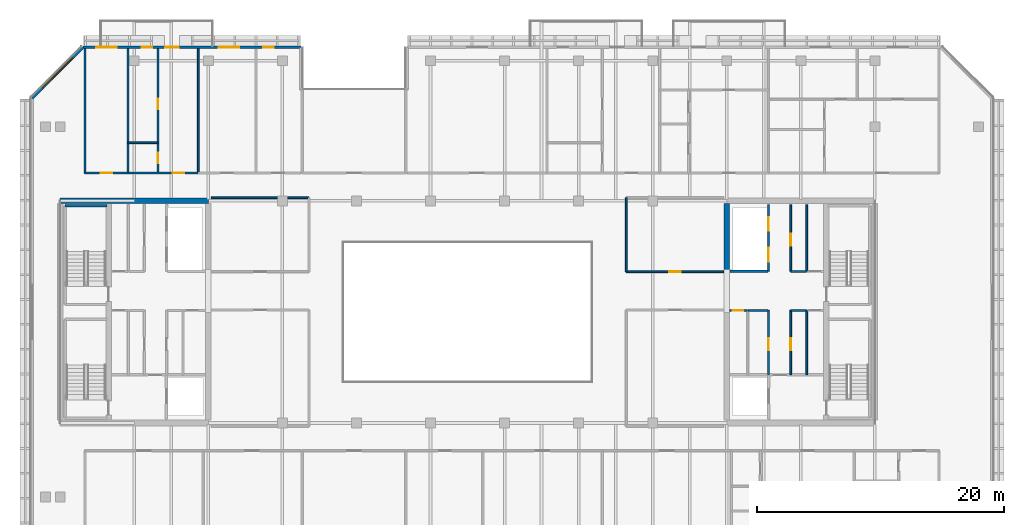
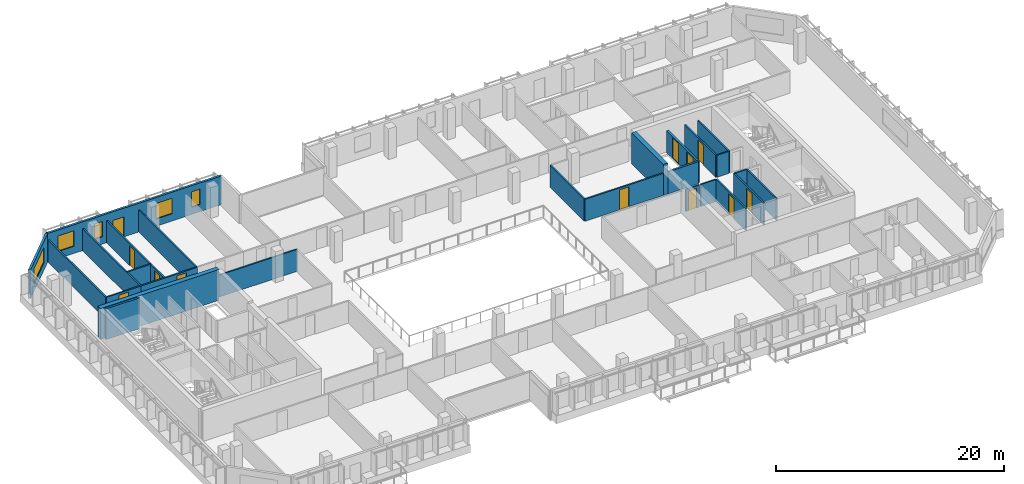
# One storey, part 8 of 16: 26 walls, 12 doors, 5 windows, 17 openings.
"""IFC4 building model written with IfcOpenShell, lengths in metres."""

import ifcopenshell
import ifcopenshell.guid

model = None  # the IFC model being written
_history = None  # IfcOwnerHistory: only IFC2X3 demands one
_inside = {}  # id of a spatial element -> (the spatial element, [elements in it])
_under = {}  # id of a project, library or spatial element -> (it, [spatial elements below it])
_declared = {}  # id of a project -> (the project, [libraries it declares])
_typed = {}  # id of a type object -> (the type object, [elements of that type])
_made_of = {}  # id of a material, layer set ... -> (it, [elements and type objects made of it])


def new_model(schema):
    """Start an empty IFC model of exactly this schema.

    Asked for "IFC4X3", IfcOpenShell would pick the latest addendum, in which some entities
    have other attributes; the version numbers below select the first issue.
    IFC2X3 requires an IfcOwnerHistory on every rooted entity: one is made here for all.
    """
    global model, _history
    if schema == "IFC4X3":
        model = ifcopenshell.file(schema_version=(4, 3, 0, 0))
    else:
        model = ifcopenshell.file(schema=schema)
    _inside.clear()
    _under.clear()
    _declared.clear()
    _typed.clear()
    _made_of.clear()
    _history = None
    if model.schema == "IFC2X3":
        org = make("IfcOrganization", Name="unknown")
        user = make(
            "IfcPersonAndOrganization",
            ThePerson=make("IfcPerson", FamilyName="unknown"),
            TheOrganization=org,
        )
        app = make(
            "IfcApplication",
            ApplicationDeveloper=org,
            Version="unknown",
            ApplicationFullName="unknown",
            ApplicationIdentifier="unknown",
        )
        _history = make(
            "IfcOwnerHistory",
            OwningUser=user,
            OwningApplication=app,
            ChangeAction="ADDED",
            CreationDate=0,
        )
    return model


def make(cls, **values):
    """One entity of the class cls with the attributes given. An attribute that is None is left unset."""
    return model.create_entity(
        cls, **{name: value for name, value in values.items() if value is not None}
    )


def rooted(cls, **values):
    """An entity with a GlobalId (a new one), such as an element, a storey or a relation."""
    return make(cls, GlobalId=ifcopenshell.guid.new(), OwnerHistory=_history, **values)


def si_unit(unit_type, name, prefix=None):
    """IfcSIUnit, for example si_unit("LENGTHUNIT", "METRE", prefix="MILLI")."""
    return make("IfcSIUnit", UnitType=unit_type, Prefix=prefix, Name=name)


def assignment(units):
    """IfcUnitAssignment: the units of a project."""
    return None if units is None else make("IfcUnitAssignment", Units=units)


def point(xyz):
    """IfcCartesianPoint."""
    return None if xyz is None else make("IfcCartesianPoint", Coordinates=xyz)


def direction(xyz):
    """IfcDirection."""
    return None if xyz is None else make("IfcDirection", DirectionRatios=xyz)


def frame(location, z_axis=None, x_axis=None):
    """IfcAxis2Placement3D, a coordinate frame: its origin and axes. An axis left out is left unset."""
    return make(
        "IfcAxis2Placement3D",
        Location=point(location),
        Axis=direction(z_axis),
        RefDirection=direction(x_axis),
    )


def frame_2d(location, x_axis=None):
    """IfcAxis2Placement2D, a coordinate frame in the plane: its origin and x axis."""
    return make(
        "IfcAxis2Placement2D", Location=point(location), RefDirection=direction(x_axis)
    )


def origin():
    """The frame at (0, 0, 0) with its axes left unset."""
    return frame((0.0, 0.0, 0.0))


def place(relative_to, where):
    """IfcLocalPlacement: puts the frame where relative to a parent placement (None: the world)."""
    return make(
        "IfcLocalPlacement", PlacementRelTo=relative_to, RelativePlacement=where
    )


def context(
    kind, dimensions, precision=None, world=None, true_north=None, identifier=None
):
    """IfcGeometricRepresentationContext, for example the 3D "Model" context."""
    return make(
        "IfcGeometricRepresentationContext",
        ContextIdentifier=identifier,
        ContextType=kind,
        CoordinateSpaceDimension=dimensions,
        Precision=precision,
        WorldCoordinateSystem=world,
        TrueNorth=true_north,
    )


def subcontext(parent, identifier, kind, view, scale=None):
    """IfcGeometricRepresentationSubContext, for example "Body" below "Model"."""
    return make(
        "IfcGeometricRepresentationSubContext",
        ContextIdentifier=identifier,
        ContextType=kind,
        ParentContext=parent,
        TargetScale=scale,
        TargetView=view,
    )


def project(units=None, contexts=None):
    """IfcProject with its units and contexts."""
    return rooted(
        "IfcProject",
        Name="project",
        RepresentationContexts=contexts,
        UnitsInContext=assignment(units),
    )


def spatial(cls, under=None, at=None, **own):
    """A site, building, storey or space (cls), placed at a placement, below another one or the project."""
    s = rooted(cls, ObjectPlacement=at, **own)
    if under is not None:
        _under.setdefault(under.id(), (under, []))[1].append(s)
    return s


def profile(cls, at=None, kind="AREA", **sizes):
    """A parametric profile (cls). Its sizes go by their IFC names, for example OverallWidth=200.0."""
    return make(cls, ProfileType=kind, Position=at, **sizes)


def rectangle(**sizes):
    """IfcRectangleProfileDef."""
    return profile("IfcRectangleProfileDef", **sizes)


def extrude(swept, where, along, depth):
    """IfcExtrudedAreaSolid: the profile swept, set in the frame where, extruded along a direction by depth."""
    return make(
        "IfcExtrudedAreaSolid",
        SweptArea=swept,
        Position=where,
        ExtrudedDirection=direction(along),
        Depth=depth,
    )


def shape(context_of_items, identifier, shape_type, items):
    """IfcShapeRepresentation: the items that make up one representation, for example the "Body"."""
    return make(
        "IfcShapeRepresentation",
        ContextOfItems=context_of_items,
        RepresentationIdentifier=identifier,
        RepresentationType=shape_type,
        Items=items,
    )


def material(Name=None, Category=None):
    """IfcMaterial."""
    return make("IfcMaterial", Name=Name, Category=Category)


def layer(
    of_material, thickness, ventilated=None, Name=None, Category=None, Priority=None
):
    """IfcMaterialLayer: one layer of a wall or slab, of a material (None: an air gap)."""
    return make(
        "IfcMaterialLayer",
        Material=of_material,
        LayerThickness=thickness,
        IsVentilated=ventilated,
        Name=Name,
        Category=Category,
        Priority=Priority,
    )


def layer_set(layers, Name=None):
    """IfcMaterialLayerSet."""
    return make("IfcMaterialLayerSet", MaterialLayers=layers, LayerSetName=Name)


def made_of(thing, what):
    """Note that an element or type object is made of a material, layer set ...; save() writes the relation."""
    if what is not None:
        _made_of.setdefault(what.id(), (what, []))[1].append(thing)
    return thing


def type_object(cls, material=None, **own):
    """A type object (cls), such as IfcWallType, which elements share."""
    return made_of(rooted(cls, **own), material)


def element(
    cls,
    number,
    at=None,
    inside=None,
    cuts=None,
    type_object=None,
    material=None,
    context=None,
    identifier="Body",
    shape_type=None,
    held_by="IfcProductDefinitionShape",
    body=None,
    shapes=None,
    **own,
):
    """One element of the class cls, such as IfcWall. Its Tag is "e" and its number.

    at: its placement. inside: the storey or other place that contains it. cuts: it is an
    opening in that element (IfcRelVoidsElement). A single representation is given by context,
    identifier, shape_type and body (its items); several are given by shapes. held_by: the class
    of the entity that holds the representations. save() writes the other relations.
    """
    e = rooted(cls, Tag="e%d" % number, ObjectPlacement=at, **own)
    if body is not None:
        shapes = [shape(context, identifier, shape_type, body)]
    if shapes is not None:
        e.Representation = make(held_by, Representations=shapes)
    if inside is not None:
        _inside.setdefault(inside.id(), (inside, []))[1].append(e)
    if cuts is not None:
        rooted(
            "IfcRelVoidsElement", RelatingBuildingElement=cuts, RelatedOpeningElement=e
        )
    if type_object is not None:
        _typed.setdefault(type_object.id(), (type_object, []))[1].append(e)
    return made_of(e, material)


def fill(opening, filler):
    """IfcRelFillsElement: the door or window that sits in an opening."""
    return rooted(
        "IfcRelFillsElement",
        RelatingOpeningElement=opening,
        RelatedBuildingElement=filler,
    )


def aggregate(whole, parts):
    """IfcRelAggregates: a whole, such as a stair, and the parts it consists of."""
    return rooted("IfcRelAggregates", RelatingObject=whole, RelatedObjects=parts)


def save(model, path):
    """Write the relations noted so far, then the file.

    IfcRelAggregates (storeys below a building ...), IfcRelContainedInSpatialStructure (elements
    in a storey), IfcRelDefinesByType, IfcRelAssociatesMaterial and IfcRelDeclares: one each for
    every whole, place, type object, material and project.
    """
    for whole, parts in _under.values():
        aggregate(whole, parts)
    for where, things in _inside.values():
        rooted(
            "IfcRelContainedInSpatialStructure",
            RelatedElements=things,
            RelatingStructure=where,
        )
    for kind, things in _typed.values():
        rooted("IfcRelDefinesByType", RelatedObjects=things, RelatingType=kind)
    for what, things in _made_of.values():
        rooted("IfcRelAssociatesMaterial", RelatedObjects=things, RelatingMaterial=what)
    for by, libraries in _declared.values():
        rooted("IfcRelDeclares", RelatingContext=by, RelatedDefinitions=libraries)
    model.write(path)


model = new_model("IFC4")

# Units and contexts
model_context = context("Model", 3, precision=1e-05, world=origin(), true_north=direction((0.0, 1.0)))
body_context = subcontext(model_context, "Body", "Model", "MODEL_VIEW")
ifc_project = project(units=[si_unit("LENGTHUNIT", "METRE"), si_unit("AREAUNIT", "SQUARE_METRE"), si_unit("VOLUMEUNIT", "CUBIC_METRE"), si_unit("PLANEANGLEUNIT", "RADIAN"), si_unit("MASSUNIT", "GRAM", prefix="KILO")], contexts=[model_context])

# Site, building, storey
site_placement = place(None, origin())
site = spatial("IfcSite", under=ifc_project, at=site_placement, CompositionType="ELEMENT")
building_placement = place(site_placement, origin())
building = spatial("IfcBuilding", under=site, at=building_placement, Name="Tanjung Sevakor Pilgrim Tower", CompositionType="ELEMENT")
storey_placement = place(building_placement, frame((0.0, 0.0, 191.72998046875)))
storey = spatial("IfcBuildingStorey", under=building, at=storey_placement, Name="L53", CompositionType="ELEMENT", Elevation=191.72998046875)

# Walls
ifc_material_1 = material(Name="Concrete C60/75", Category="concrete")
ifc_layer_1 = layer(ifc_material_1, 0.449951171875)
ifc_layer_set_1 = layer_set([ifc_layer_1], Name="WALL-CW-450")
wall_type_1 = type_object("IfcWallType", Name="WALL-CW-450", PredefinedType="SHEAR", material=ifc_layer_set_1)
wall_1_placement = place(storey_placement, frame((36.0, 42.60009765625, 0.0), z_axis=(0.0, 0.0, 1.0), x_axis=(-1.0, 0.0, 0.0)))
element("IfcWall", 1, at=wall_1_placement, inside=storey, type_object=wall_type_1, Name="L53 W Core North Shear Wall", PredefinedType="SHEAR", context=body_context, shape_type="SweptSolid", body=[
    extrude(rectangle(XDim=12.0, YDim=0.449951171875, at=frame_2d((6.0, 0.0))), origin(), (0.0, 0.0, 1.0), 3.300048828125),
])
wall_2_placement = place(storey_placement, frame((78.0, 36.800048828125, 0.0), z_axis=(0.0, 0.0, 1.0), x_axis=(0.0, 1.0, 0.0)))
element("IfcWall", 2, at=wall_2_placement, inside=storey, type_object=wall_type_1, Name="L53 E Core Inner Shear Wall North", PredefinedType="SHEAR", context=body_context, shape_type="SweptSolid", body=[
    extrude(rectangle(XDim=5.574951171875, YDim=0.449951171875, at=frame_2d((2.78759765625, 0.0))), origin(), (0.0, 0.0, 1.0), 3.300048828125),
])
ifc_material_2 = material(Name="Concrete C40/50", Category="concrete")
ifc_layer_2 = layer(ifc_material_2, 0.14990234375)
ifc_layer_set_2 = layer_set([ifc_layer_2], Name="WT-COMP-150")
wall_type_2 = type_object("IfcWallType", Name="WT-COMP-150", PredefinedType="SOLIDWALL", material=ifc_layer_set_2)
wall_3_placement = place(storey_placement, frame((84.47998046875, 28.5, 0.0), z_axis=(0.0, 0.0, 1.0), x_axis=(0.0, 1.0, 0.0)))
element("IfcWall", 3, at=wall_3_placement, inside=storey, type_object=wall_type_2, Name="L53 Partition IW-L53-019", PredefinedType="SOLIDWALL", context=body_context, shape_type="SweptSolid", body=[
    extrude(rectangle(XDim=5.219970703125, YDim=0.14990234375, at=frame_2d((2.60986328125, 0.0))), origin(), (0.0, 0.0, 1.0), 2.35009765625),
])
wall_4_placement = place(storey_placement, frame((83.199951171875, 33.719970703125, 0.0), z_axis=(0.0, 0.0, 1.0), x_axis=(1.0, 0.0, 0.0)))
element("IfcWall", 4, at=wall_4_placement, inside=storey, type_object=wall_type_2, Name="L53 Partition IW-L53-021", PredefinedType="SOLIDWALL", context=body_context, shape_type="SweptSolid", body=[
    extrude(rectangle(XDim=1.219970703125, YDim=0.14990234375, at=frame_2d((0.60986328125, 0.0))), origin(), (0.0, 0.0, 1.0), 2.35009765625),
])

# Wall, opening, door
wall_5_placement = place(storey_placement, frame((83.179931640625, 28.5, 0.0), z_axis=(0.0, 0.0, 1.0), x_axis=(0.0, 1.0, 0.0)))
wall_5 = element("IfcWall", 5, at=wall_5_placement, inside=storey, type_object=wall_type_2, Name="L53 Partition IW-L53-022", PredefinedType="SOLIDWALL", context=body_context, shape_type="SweptSolid", body=[
    extrude(rectangle(XDim=5.219970703125, YDim=0.14990234375, at=frame_2d((2.60986328125, 0.0))), origin(), (0.0, 0.0, 1.0), 2.35009765625),
])
opening_1_placement = place(wall_5_placement, frame((2.0, 0.0, 0.0)))
opening_1 = element("IfcOpeningElement", 6, at=opening_1_placement, cuts=wall_5, Name="Opening ID-FD2", PredefinedType="OPENING", context=body_context, shape_type="SweptSolid", body=[
    extrude(rectangle(XDim=0.949951171875, YDim=2.14990234375, at=frame_2d((0.47509765625, 1.074951171875))), frame((0.0, 0.0849609375, 0.0), z_axis=(0.0, -1.0, 0.0), x_axis=(1.0, 0.0, 0.0)), (0.0, 0.0, 1.0), 0.169921875),
])
ifc_material_3 = material(Name="Fire-Rated Timber", Category="wood")
door_type_1 = type_object("IfcDoorType", Name="DT-FIRE-950", OperationType="NOTDEFINED", PredefinedType="DOOR", material=ifc_material_3)
door_1_placement = place(opening_1_placement, origin())
door_1 = element("IfcDoor", 7, at=door_1_placement, inside=storey, type_object=door_type_1, Name="L53 Housekeeping Pantry Door", OperationType="SINGLE_SWING_LEFT", OverallHeight=2.14990234375, OverallWidth=0.949951171875, PredefinedType="DOOR", context=body_context, shape_type="SweptSolid", body=[
    extrude(rectangle(XDim=0.949951171875, YDim=2.14990234375, at=frame_2d((0.47509765625, 1.074951171875))), frame((0.0, 0.02490234375, 0.0), z_axis=(0.0, -1.0, 0.0), x_axis=(1.0, 0.0, 0.0)), (0.0, 0.0, 1.0), 0.050048828125),
])
fill(opening_1, door_1)

# Wall
wall_6_placement = place(storey_placement, frame((79.760009765625, 33.719970703125, 0.0), z_axis=(0.0, 0.0, 1.0), x_axis=(1.0, 0.0, 0.0)))
element("IfcWall", 8, at=wall_6_placement, inside=storey, type_object=wall_type_2, Name="L53 Partition IW-L53-024", PredefinedType="SOLIDWALL", context=body_context, shape_type="SweptSolid", body=[
    extrude(rectangle(XDim=1.56005859375, YDim=0.14990234375, at=frame_2d((0.780029296875, 0.0))), origin(), (0.0, 0.0, 1.0), 2.35009765625),
])

# Wall, opening, door
wall_7_placement = place(storey_placement, frame((78.2451171875, 33.719970703125, 0.0), z_axis=(0.0, 0.0, 1.0), x_axis=(1.0, 0.0, 0.0)))
wall_7 = element("IfcWall", 9, at=wall_7_placement, inside=storey, type_object=wall_type_2, Name="L53 Partition IW-L53-025", PredefinedType="SOLIDWALL", context=body_context, shape_type="SweptSolid", body=[
    extrude(rectangle(XDim=1.394775390625, YDim=0.14990234375, at=frame_2d((0.697265625, 0.0))), origin(), (0.0, 0.0, 1.0), 2.35009765625),
])
opening_2_placement = place(wall_7_placement, frame((0.239990234375, 0.0, 0.0)))
opening_2 = element("IfcOpeningElement", 10, at=opening_2_placement, cuts=wall_7, Name="Opening ID-FD3", PredefinedType="OPENING", context=body_context, shape_type="SweptSolid", body=[
    extrude(rectangle(XDim=0.85009765625, YDim=2.10009765625, at=frame_2d((0.425048828125, 1.050048828125))), frame((0.0, 0.0849609375, 0.0), z_axis=(0.0, -1.0, 0.0), x_axis=(1.0, 0.0, 0.0)), (0.0, 0.0, 1.0), 0.169921875),
])
ifc_material_4 = material(Name="Fire-Rated Timber", Category="wood")
door_type_2 = type_object("IfcDoorType", Name="DT-FIRE-850", OperationType="NOTDEFINED", PredefinedType="DOOR", material=ifc_material_4)
door_2_placement = place(opening_2_placement, origin())
door_2 = element("IfcDoor", 11, at=door_2_placement, inside=storey, type_object=door_type_2, Name="L53 Service Store Door", OperationType="SINGLE_SWING_RIGHT", OverallHeight=2.10009765625, OverallWidth=0.85009765625, PredefinedType="DOOR", context=body_context, shape_type="SweptSolid", body=[
    extrude(rectangle(XDim=0.85009765625, YDim=2.10009765625, at=frame_2d((0.425048828125, 1.050048828125))), frame((0.0, 0.02490234375, 0.0), z_axis=(0.0, -1.0, 0.0), x_axis=(1.0, 0.0, 0.0)), (0.0, 0.0, 1.0), 0.050048828125),
])
fill(opening_2, door_2)

wall_8_placement = place(storey_placement, frame((81.3798828125, 28.5, 0.0), z_axis=(0.0, 0.0, 1.0), x_axis=(0.0, 1.0, 0.0)))
wall_8 = element("IfcWall", 12, at=wall_8_placement, inside=storey, type_object=wall_type_2, Name="L53 Partition IW-L53-026", PredefinedType="SOLIDWALL", context=body_context, shape_type="SweptSolid", body=[
    extrude(rectangle(XDim=5.219970703125, YDim=0.14990234375, at=frame_2d((2.60986328125, 0.0))), origin(), (0.0, 0.0, 1.0), 2.35009765625),
])
opening_3_placement = place(wall_8_placement, frame((2.0, 0.0, 0.0)))
opening_3 = element("IfcOpeningElement", 13, at=opening_3_placement, cuts=wall_8, Name="Opening ID-FD2", PredefinedType="OPENING", context=body_context, shape_type="SweptSolid", body=[
    extrude(rectangle(XDim=0.949951171875, YDim=2.14990234375, at=frame_2d((0.47509765625, 1.074951171875))), frame((0.0, 0.0849609375, 0.0), z_axis=(0.0, -1.0, 0.0), x_axis=(1.0, 0.0, 0.0)), (0.0, 0.0, 1.0), 0.169921875),
])
door_3_placement = place(opening_3_placement, origin())
door_3 = element("IfcDoor", 14, at=door_3_placement, inside=storey, type_object=door_type_1, Name="L53 Accessible WC Door", OperationType="SINGLE_SWING_LEFT", OverallHeight=2.14990234375, OverallWidth=0.949951171875, PredefinedType="DOOR", context=body_context, shape_type="SweptSolid", body=[
    extrude(rectangle(XDim=0.949951171875, YDim=2.14990234375, at=frame_2d((0.47509765625, 1.074951171875))), frame((0.0, 0.02490234375, 0.0), z_axis=(0.0, -1.0, 0.0), x_axis=(1.0, 0.0, 0.0)), (0.0, 0.0, 1.0), 0.050048828125),
])
fill(opening_3, door_3)

# Walls
wall_9_placement = place(storey_placement, frame((84.47998046875, 36.8798828125, 0.0), z_axis=(0.0, 0.0, 1.0), x_axis=(0.0, 1.0, 0.0)))
element("IfcWall", 15, at=wall_9_placement, inside=storey, type_object=wall_type_2, Name="L53 Partition IW-L53-027", PredefinedType="SOLIDWALL", context=body_context, shape_type="SweptSolid", body=[
    extrude(rectangle(XDim=5.420166015625, YDim=0.14990234375, at=frame_2d((2.7099609375, 0.0))), origin(), (0.0, 0.0, 1.0), 2.35009765625),
])
wall_10_placement = place(storey_placement, frame((83.199951171875, 36.8798828125, 0.0), z_axis=(0.0, 0.0, 1.0), x_axis=(1.0, 0.0, 0.0)))
element("IfcWall", 16, at=wall_10_placement, inside=storey, type_object=wall_type_2, Name="L53 Partition IW-L53-029", PredefinedType="SOLIDWALL", context=body_context, shape_type="SweptSolid", body=[
    extrude(rectangle(XDim=1.219970703125, YDim=0.14990234375, at=frame_2d((0.60986328125, 0.0))), origin(), (0.0, 0.0, 1.0), 2.35009765625),
])

# Wall, opening, door
wall_11_placement = place(storey_placement, frame((83.179931640625, 36.8798828125, 0.0), z_axis=(0.0, 0.0, 1.0), x_axis=(0.0, 1.0, 0.0)))
wall_11 = element("IfcWall", 17, at=wall_11_placement, inside=storey, type_object=wall_type_2, Name="L53 Partition IW-L53-030", PredefinedType="SOLIDWALL", context=body_context, shape_type="SweptSolid", body=[
    extrude(rectangle(XDim=5.420166015625, YDim=0.14990234375, at=frame_2d((2.7099609375, 0.0))), origin(), (0.0, 0.0, 1.0), 2.35009765625),
])
opening_4_placement = place(wall_11_placement, frame((2.10009765625, 0.0, 0.0)))
opening_4 = element("IfcOpeningElement", 18, at=opening_4_placement, cuts=wall_11, Name="Opening ID-FD2", PredefinedType="OPENING", context=body_context, shape_type="SweptSolid", body=[
    extrude(rectangle(XDim=0.949951171875, YDim=2.14990234375, at=frame_2d((0.47509765625, 1.074951171875))), frame((0.0, 0.0849609375, 0.0), z_axis=(0.0, -1.0, 0.0), x_axis=(1.0, 0.0, 0.0)), (0.0, 0.0, 1.0), 0.169921875),
])
door_4_placement = place(opening_4_placement, origin())
door_4 = element("IfcDoor", 19, at=door_4_placement, inside=storey, type_object=door_type_1, Name="L53 Core Reading Room Door", OperationType="SINGLE_SWING_LEFT", OverallHeight=2.14990234375, OverallWidth=0.949951171875, PredefinedType="DOOR", context=body_context, shape_type="SweptSolid", body=[
    extrude(rectangle(XDim=0.949951171875, YDim=2.14990234375, at=frame_2d((0.47509765625, 1.074951171875))), frame((0.0, 0.02490234375, 0.0), z_axis=(0.0, -1.0, 0.0), x_axis=(1.0, 0.0, 0.0)), (0.0, 0.0, 1.0), 0.050048828125),
])
fill(opening_4, door_4)

# Wall
wall_12_placement = place(storey_placement, frame((36.2451171875, 42.85009765625, 0.0), z_axis=(0.0, 0.0, 1.0), x_axis=(1.0, 0.0, 0.0)))
element("IfcWall", 20, at=wall_12_placement, inside=storey, type_object=wall_type_2, Name="L53 Partition IW-L53-037", PredefinedType="SOLIDWALL", context=body_context, shape_type="SweptSolid", body=[
    extrude(rectangle(XDim=7.90478515625, YDim=0.14990234375, at=frame_2d((3.952392578125, 0.0))), origin(), (0.0, 0.0, 1.0), 2.35009765625),
])

# Wall, opening, door
wall_13_placement = place(storey_placement, frame((69.85009765625, 36.85009765625, 0.0), z_axis=(0.0, 0.0, 1.0), x_axis=(1.0, 0.0, 0.0)))
wall_13 = element("IfcWall", 21, at=wall_13_placement, inside=storey, type_object=wall_type_2, Name="L53 Partition IW-L53-042", PredefinedType="SOLIDWALL", context=body_context, shape_type="SweptSolid", body=[
    extrude(rectangle(XDim=7.90478515625, YDim=0.14990234375, at=frame_2d((3.952392578125, 0.0))), origin(), (0.0, 0.0, 1.0), 2.35009765625),
])
opening_5_placement = place(wall_13_placement, frame((3.4775390625, 0.0, 0.0)))
opening_5 = element("IfcOpeningElement", 22, at=opening_5_placement, cuts=wall_13, Name="Opening ID-RM1", PredefinedType="OPENING", context=body_context, shape_type="SweptSolid", body=[
    extrude(rectangle(XDim=0.949951171875, YDim=2.14990234375, at=frame_2d((0.47509765625, 1.074951171875))), frame((0.0, 0.0849609375, 0.0), z_axis=(0.0, -1.0, 0.0), x_axis=(1.0, 0.0, 0.0)), (0.0, 0.0, 1.0), 0.169921875),
])
ifc_material_5 = material(Name="Hardwood Timber", Category="wood")
door_type_3 = type_object("IfcDoorType", Name="DT-INT-950", OperationType="NOTDEFINED", PredefinedType="DOOR", material=ifc_material_5)
door_5_placement = place(opening_5_placement, origin())
door_5 = element("IfcDoor", 23, at=door_5_placement, inside=storey, type_object=door_type_3, Name="L53 East Inboard North Door", OperationType="SINGLE_SWING_LEFT", OverallHeight=2.14990234375, OverallWidth=0.949951171875, PredefinedType="DOOR", context=body_context, shape_type="SweptSolid", body=[
    extrude(rectangle(XDim=0.949951171875, YDim=2.14990234375, at=frame_2d((0.47509765625, 1.074951171875))), frame((0.0, 0.02490234375, 0.0), z_axis=(0.0, -1.0, 0.0), x_axis=(1.0, 0.0, 0.0)), (0.0, 0.0, 1.0), 0.050048828125),
])
fill(opening_5, door_5)

# Walls
wall_14_placement = place(storey_placement, frame((69.85009765625, 36.85009765625, 0.0), z_axis=(0.0, 0.0, 1.0), x_axis=(0.0, 1.0, 0.0)))
element("IfcWall", 24, at=wall_14_placement, inside=storey, type_object=wall_type_2, Name="L53 Partition IW-L53-044", PredefinedType="SOLIDWALL", context=body_context, shape_type="SweptSolid", body=[
    extrude(rectangle(XDim=6.0, YDim=0.14990234375, at=frame_2d((3.0, 0.0))), origin(), (0.0, 0.0, 1.0), 2.35009765625),
])
for number, where, z_axis, x_axis, name in (
    (25, (26.0, 44.85009765625, 0.0), (0.0, 0.0, 1.0), (0.0, 1.0, 0.0), "L53 Partition IW-L53-071"),
    (26, (29.489501953125, 44.85009765625, 0.0), (0.0, 0.0, 1.0), (0.0, 1.0, 0.0), "L53 Partition IW-L53-072"),
):
    element("IfcWall", number, at=place(storey_placement, frame(where, z_axis=z_axis, x_axis=x_axis)), inside=storey, type_object=wall_type_2, Name=name, PredefinedType="SOLIDWALL", context=body_context, shape_type="SweptSolid", body=[
        extrude(rectangle(XDim=10.079833984375, YDim=0.14990234375, at=frame_2d((5.0400390625, 0.0))), origin(), (0.0, 0.0, 1.0), 2.35009765625),
    ])

# Wall, opening, door
wall_15_placement = place(storey_placement, frame((26.0, 44.85009765625, 0.0), z_axis=(0.0, 0.0, 1.0), x_axis=(1.0, 0.0, 0.0)))
wall_15 = element("IfcWall", 27, at=wall_15_placement, inside=storey, type_object=wall_type_2, Name="L53 Partition IW-L53-073", PredefinedType="SOLIDWALL", context=body_context, shape_type="SweptSolid", body=[
    extrude(rectangle(XDim=3.489501953125, YDim=0.14990234375, at=frame_2d((1.74462890625, 0.0))), origin(), (0.0, 0.0, 1.0), 2.35009765625),
])
opening_6_placement = place(wall_15_placement, frame((1.269775390625, 0.0, 0.0)))
opening_6 = element("IfcOpeningElement", 28, at=opening_6_placement, cuts=wall_15, Name="Opening ID-FD2", PredefinedType="OPENING", context=body_context, shape_type="SweptSolid", body=[
    extrude(rectangle(XDim=0.949951171875, YDim=2.14990234375, at=frame_2d((0.47509765625, 1.074951171875))), frame((0.0, 0.0849609375, 0.0), z_axis=(0.0, -1.0, 0.0), x_axis=(1.0, 0.0, 0.0)), (0.0, 0.0, 1.0), 0.169921875),
])
door_6_placement = place(opening_6_placement, origin())
door_6 = element("IfcDoor", 29, at=door_6_placement, inside=storey, type_object=door_type_1, Name="Study Room Entrance", OperationType="SINGLE_SWING_LEFT", OverallHeight=2.14990234375, OverallWidth=0.949951171875, PredefinedType="DOOR", context=body_context, shape_type="SweptSolid", body=[
    extrude(rectangle(XDim=0.949951171875, YDim=2.14990234375, at=frame_2d((0.47509765625, 1.074951171875))), frame((0.0, 0.02490234375, 0.0), z_axis=(0.0, -1.0, 0.0), x_axis=(1.0, 0.0, 0.0)), (0.0, 0.0, 1.0), 0.050048828125),
])
fill(opening_6, door_6)

# Wall
wall_16_placement = place(storey_placement, frame((35.17626953125, 44.85009765625, 0.0), z_axis=(0.0, 0.0, 1.0), x_axis=(0.0, 1.0, 0.0)))
element("IfcWall", 30, at=wall_16_placement, inside=storey, type_object=wall_type_2, Name="L53 Partition IW-L53-074", PredefinedType="SOLIDWALL", context=body_context, shape_type="SweptSolid", body=[
    extrude(rectangle(XDim=10.079833984375, YDim=0.14990234375, at=frame_2d((5.0400390625, 0.0))), origin(), (0.0, 0.0, 1.0), 2.35009765625),
])

# Wall, opening, door
wall_17_placement = place(storey_placement, frame((29.489501953125, 44.85009765625, 0.0), z_axis=(0.0, 0.0, 1.0), x_axis=(1.0, 0.0, 0.0)))
wall_17 = element("IfcWall", 31, at=wall_17_placement, inside=storey, type_object=wall_type_2, Name="L53 Partition IW-L53-077", PredefinedType="SOLIDWALL", context=body_context, shape_type="SweptSolid", body=[
    extrude(rectangle(XDim=5.686767578125, YDim=0.14990234375, at=frame_2d((2.84326171875, 0.0))), origin(), (0.0, 0.0, 1.0), 2.35009765625),
])
opening_7_placement = place(wall_17_placement, frame((3.62353515625, 0.0, 0.0)))
opening_7 = element("IfcOpeningElement", 32, at=opening_7_placement, cuts=wall_17, Name="Opening ID-FD2", PredefinedType="OPENING", context=body_context, shape_type="SweptSolid", body=[
    extrude(rectangle(XDim=0.949951171875, YDim=2.14990234375, at=frame_2d((0.47509765625, 1.074951171875))), frame((0.0, 0.0849609375, 0.0), z_axis=(0.0, -1.0, 0.0), x_axis=(1.0, 0.0, 0.0)), (0.0, 0.0, 1.0), 0.169921875),
])
door_7_placement = place(opening_7_placement, origin())
door_7 = element("IfcDoor", 33, at=door_7_placement, inside=storey, type_object=door_type_1, Name="Hotel Guestroom Entrance", OperationType="SINGLE_SWING_RIGHT", OverallHeight=2.14990234375, OverallWidth=0.949951171875, PredefinedType="DOOR", context=body_context, shape_type="SweptSolid", body=[
    extrude(rectangle(XDim=0.949951171875, YDim=2.14990234375, at=frame_2d((0.47509765625, 1.074951171875))), frame((0.0, 0.02490234375, 0.0), z_axis=(0.0, -1.0, 0.0), x_axis=(1.0, 0.0, 0.0)), (0.0, 0.0, 1.0), 0.050048828125),
])
fill(opening_7, door_7)

# Wall, openings, door, windows
ifc_material_6 = material(Name="Precast concrete C45/55", Category="concrete")
ifc_layer_3 = layer(ifc_material_6, 0.219970703125)
ifc_layer_set_3 = layer_set([ifc_layer_3], Name="WT-EW-STN4")
wall_type_3 = type_object("IfcWallType", Name="WT-EW-STN4", PredefinedType="SOLIDWALL", material=ifc_layer_set_3)
wall_18_placement = place(storey_placement, frame((43.489990234375, 55.0400390625, 0.0), z_axis=(0.0, 0.0, 1.0), x_axis=(-1.0, 0.0, 0.0)))
wall_18 = element("IfcWall", 34, at=wall_18_placement, inside=storey, type_object=wall_type_3, Name="L53 MAIN Exterior Wall 13", PredefinedType="SOLIDWALL", context=body_context, shape_type="SweptSolid", body=[
    extrude(rectangle(XDim=17.644287109375, YDim=0.219970703125, at=frame_2d((8.822265625, 0.0))), origin(), (0.0, 0.0, 1.0), 3.080078125),
])
opening_8_placement = place(wall_18_placement, frame((9.889892578125, 0.0, 0.0)))
opening_8 = element("IfcOpeningElement", 35, at=opening_8_placement, cuts=wall_18, Name="Opening ED-BAL-1100", PredefinedType="OPENING", context=body_context, shape_type="SweptSolid", body=[
    extrude(rectangle(XDim=1.10009765625, YDim=2.14990234375, at=frame_2d((0.550048828125, 1.074951171875))), frame((0.0, 0.119873046875, 0.0), z_axis=(0.0, -1.0, 0.0), x_axis=(1.0, 0.0, 0.0)), (0.0, 0.0, 1.0), 0.239990234375),
])
opening_9_placement = place(wall_18_placement, frame((14.92041015625, 0.0, 0.780029296875)))
opening_9 = element("IfcOpeningElement", 36, at=opening_9_placement, cuts=wall_18, Name="Opening WN-Z4-1660", PredefinedType="OPENING", context=body_context, shape_type="SweptSolid", body=[
    extrude(rectangle(XDim=1.64990234375, YDim=1.659912109375, at=frame_2d((0.824951171875, 0.830078125))), frame((0.0, 0.119873046875, 0.0), z_axis=(0.0, -1.0, 0.0), x_axis=(1.0, 0.0, 0.0)), (0.0, 0.0, 1.0), 0.239990234375),
])
opening_10_placement = place(wall_18_placement, frame((12.0302734375, 0.0, 0.780029296875)))
opening_10 = element("IfcOpeningElement", 37, at=opening_10_placement, cuts=wall_18, Name="Opening WN-SLM", PredefinedType="OPENING", context=body_context, shape_type="SweptSolid", body=[
    extrude(rectangle(XDim=0.85009765625, YDim=1.64990234375, at=frame_2d((0.425048828125, 0.824951171875))), frame((0.0, 0.119873046875, 0.0), z_axis=(0.0, -1.0, 0.0), x_axis=(1.0, 0.0, 0.0)), (0.0, 0.0, 1.0), 0.239990234375),
])
opening_11_placement = place(wall_18_placement, frame((4.986328125, 0.0, 0.780029296875)))
opening_11 = element("IfcOpeningElement", 38, at=opening_11_placement, cuts=wall_18, Name="Opening WN-Z4-1660", PredefinedType="OPENING", context=body_context, shape_type="SweptSolid", body=[
    extrude(rectangle(XDim=1.64990234375, YDim=1.659912109375, at=frame_2d((0.824951171875, 0.830078125))), frame((0.0, 0.119873046875, 0.0), z_axis=(0.0, -1.0, 0.0), x_axis=(1.0, 0.0, 0.0)), (0.0, 0.0, 1.0), 0.239990234375),
])
opening_12_placement = place(wall_18_placement, frame((2.1943359375, 0.0, 0.780029296875)))
opening_12 = element("IfcOpeningElement", 39, at=opening_12_placement, cuts=wall_18, Name="Opening WN-SLM", PredefinedType="OPENING", context=body_context, shape_type="SweptSolid", body=[
    extrude(rectangle(XDim=0.85009765625, YDim=1.64990234375, at=frame_2d((0.425048828125, 0.824951171875))), frame((0.0, 0.119873046875, 0.0), z_axis=(0.0, -1.0, 0.0), x_axis=(1.0, 0.0, 0.0)), (0.0, 0.0, 1.0), 0.239990234375),
])
ifc_material_7 = material(Name="Anodised Aluminium and Laminated Glass", Category="aluminium")
door_type_4 = type_object("IfcDoorType", Name="DTYP-ED-BAL-1100", OperationType="NOTDEFINED", PredefinedType="DOOR", material=ifc_material_7)
door_8_placement = place(opening_8_placement, frame((1.10009765625, 0.0, 0.0), z_axis=(0.0, 0.0, 1.0), x_axis=(-1.0, 0.0, 0.0)))
door_8 = element("IfcDoor", 40, at=door_8_placement, inside=storey, type_object=door_type_4, Name="L53 Balcony Door MAIN-N1", OperationType="SINGLE_SWING_RIGHT", OverallHeight=2.14990234375, OverallWidth=1.10009765625, PredefinedType="DOOR", context=body_context, shape_type="SweptSolid", body=[
    extrude(rectangle(XDim=1.10009765625, YDim=2.14990234375, at=frame_2d((0.550048828125, 1.074951171875))), frame((0.0, 0.02490234375, 0.0), z_axis=(0.0, -1.0, 0.0), x_axis=(1.0, 0.0, 0.0)), (0.0, 0.0, 1.0), 0.050048828125),
])
fill(opening_8, door_8)
ifc_material_8 = material(Name="Thermally Broken Aluminium and Low-E Glass", Category="aluminium")
window_type_1 = type_object("IfcWindowType", Name="WTYP-WN-SLM", PartitioningType="SINGLE_PANEL", PredefinedType="WINDOW", material=ifc_material_8)
window_1_placement = place(opening_10_placement, origin())
window_1 = element("IfcWindow", 41, at=window_1_placement, inside=storey, type_object=window_type_1, Name="L53 Facade Window 02", OverallHeight=1.64990234375, OverallWidth=0.85009765625, PartitioningType="SINGLE_PANEL", PredefinedType="WINDOW", context=body_context, shape_type="SweptSolid", body=[
    extrude(rectangle(XDim=0.85009765625, YDim=1.64990234375, at=frame_2d((0.425048828125, 0.824951171875))), frame((0.0, 0.030029296875, 0.0), z_axis=(0.0, -1.0, 0.0), x_axis=(1.0, 0.0, 0.0)), (0.0, 0.0, 1.0), 0.06005859375),
])
fill(opening_10, window_1)
window_2_placement = place(opening_12_placement, origin())
window_2 = element("IfcWindow", 42, at=window_2_placement, inside=storey, type_object=window_type_1, Name="L53 Facade Window 04", OverallHeight=1.64990234375, OverallWidth=0.85009765625, PartitioningType="SINGLE_PANEL", PredefinedType="WINDOW", context=body_context, shape_type="SweptSolid", body=[
    extrude(rectangle(XDim=0.85009765625, YDim=1.64990234375, at=frame_2d((0.425048828125, 0.824951171875))), frame((0.0, 0.030029296875, 0.0), z_axis=(0.0, -1.0, 0.0), x_axis=(1.0, 0.0, 0.0)), (0.0, 0.0, 1.0), 0.06005859375),
])
fill(opening_12, window_2)
ifc_material_9 = material(Name="Thermally Broken Aluminium and Low-E Glass", Category="aluminium")
window_type_2 = type_object("IfcWindowType", Name="WTYP-WN-Z4-1660", PartitioningType="DOUBLE_PANEL_VERTICAL", PredefinedType="WINDOW", material=ifc_material_9)
window_3_placement = place(opening_9_placement, origin())
window_3 = element("IfcWindow", 43, at=window_3_placement, inside=storey, type_object=window_type_2, Name="L53 Facade Window 01", OverallHeight=1.659912109375, OverallWidth=1.64990234375, PartitioningType="SINGLE_PANEL", PredefinedType="WINDOW", context=body_context, shape_type="SweptSolid", body=[
    extrude(rectangle(XDim=1.64990234375, YDim=1.659912109375, at=frame_2d((0.824951171875, 0.830078125))), frame((0.0, 0.030029296875, 0.0), z_axis=(0.0, -1.0, 0.0), x_axis=(1.0, 0.0, 0.0)), (0.0, 0.0, 1.0), 0.06005859375),
])
fill(opening_9, window_3)
window_4_placement = place(opening_11_placement, origin())
window_4 = element("IfcWindow", 44, at=window_4_placement, inside=storey, type_object=window_type_2, Name="L53 Facade Window 03", OverallHeight=1.659912109375, OverallWidth=1.64990234375, PartitioningType="SINGLE_PANEL", PredefinedType="WINDOW", context=body_context, shape_type="SweptSolid", body=[
    extrude(rectangle(XDim=1.64990234375, YDim=1.659912109375, at=frame_2d((0.824951171875, 0.830078125))), frame((0.0, 0.030029296875, 0.0), z_axis=(0.0, -1.0, 0.0), x_axis=(1.0, 0.0, 0.0)), (0.0, 0.0, 1.0), 0.06005859375),
])
fill(opening_11, window_4)

# Wall, opening, window
wall_19_placement = place(storey_placement, frame((25.845703125, 55.0400390625, 0.0), z_axis=(0.0, 0.0, 1.0), x_axis=(-0.707106781187, -0.707106781187, 0.0)))
wall_19 = element("IfcWall", 45, at=wall_19_placement, inside=storey, type_object=wall_type_3, Name="L53 MAIN Sculpted Corner Wall 13", PredefinedType="SOLIDWALL", context=body_context, shape_type="SweptSolid", body=[
    extrude(rectangle(XDim=5.848876953125, YDim=0.219970703125, at=frame_2d((2.92431640625, 0.0))), origin(), (0.0, 0.0, 1.0), 3.080078125),
])
opening_13_placement = place(wall_19_placement, frame((1.224365234375, 0.0, 0.780029296875)))
opening_13 = element("IfcOpeningElement", 46, at=opening_13_placement, cuts=wall_19, Name="Opening WN-CHM-1660", PredefinedType="OPENING", context=body_context, shape_type="SweptSolid", body=[
    extrude(rectangle(XDim=3.39990234375, YDim=1.659912109375, at=frame_2d((1.699951171875, 0.830078125))), frame((0.0, 0.119873046875, 0.0), z_axis=(0.0, -1.0, 0.0), x_axis=(1.0, 0.0, 0.0)), (0.0, 0.0, 1.0), 0.239990234375),
])
ifc_material_10 = material(Name="Thermally Broken Aluminium and Low-E Glass", Category="aluminium")
window_type_3 = type_object("IfcWindowType", Name="WTYP-WN-CHM-1660", PartitioningType="DOUBLE_PANEL_VERTICAL", PredefinedType="WINDOW", material=ifc_material_10)
window_5_placement = place(opening_13_placement, origin())
window_5 = element("IfcWindow", 47, at=window_5_placement, inside=storey, type_object=window_type_3, Name="L53 Facade Window 01", OverallHeight=1.659912109375, OverallWidth=3.39990234375, PartitioningType="SINGLE_PANEL", PredefinedType="WINDOW", context=body_context, shape_type="SweptSolid", body=[
    extrude(rectangle(XDim=3.39990234375, YDim=1.659912109375, at=frame_2d((1.699951171875, 0.830078125))), frame((0.0, 0.030029296875, 0.0), z_axis=(0.0, -1.0, 0.0), x_axis=(1.0, 0.0, 0.0)), (0.0, 0.0, 1.0), 0.06005859375),
])
fill(opening_13, window_5)

# Walls
ifc_material_11 = material(Name="Concrete C40/50", Category="concrete")
ifc_layer_4 = layer(ifc_material_11, 0.199951171875)
ifc_layer_set_4 = layer_set([ifc_layer_4], Name="WT-FIRE-200")
wall_type_4 = type_object("IfcWallType", Name="WT-FIRE-200", PredefinedType="SOLIDWALL", material=ifc_layer_set_4)
wall_20_placement = place(storey_placement, frame((27.800048828125, 42.199951171875, 0.0), z_axis=(0.0, 0.0, 1.0), x_axis=(-1.0, 0.0, 0.0)))
element("IfcWall", 48, at=wall_20_placement, inside=storey, type_object=wall_type_4, Name="L53 TS-W2 Shaft Wall 2", PredefinedType="SOLIDWALL", context=body_context, shape_type="SweptSolid", body=[
    extrude(rectangle(XDim=3.400146484375, YDim=0.199951171875, at=frame_2d((1.7001953125, 0.0))), origin(), (0.0, 0.0, 1.0), 3.300048828125),
])
ifc_material_12 = material(Name="Concrete C40/50", Category="concrete")
ifc_layer_5 = layer(ifc_material_12, 0.199951171875)
ifc_layer_set_5 = layer_set([ifc_layer_5], Name="WT-FPRT-200")
wall_type_5 = type_object("IfcWallType", Name="WT-FPRT-200", PredefinedType="SOLIDWALL", material=ifc_layer_set_5)
wall_21_placement = place(storey_placement, frame((78.2451171875, 36.8798828125, 0.0), z_axis=(0.0, 0.0, 1.0), x_axis=(1.0, 0.0, 0.0)))
element("IfcWall", 49, at=wall_21_placement, inside=storey, type_object=wall_type_5, Name="L53 Partition IW-L53-031", PredefinedType="SOLIDWALL", context=body_context, shape_type="SweptSolid", body=[
    extrude(rectangle(XDim=3.074951171875, YDim=0.199951171875, at=frame_2d((1.53759765625, 0.0))), origin(), (0.0, 0.0, 1.0), 2.35009765625),
])

# Wall, openings, doors
wall_22_placement = place(storey_placement, frame((81.3798828125, 36.8798828125, 0.0), z_axis=(0.0, 0.0, 1.0), x_axis=(0.0, 1.0, 0.0)))
wall_22 = element("IfcWall", 50, at=wall_22_placement, inside=storey, type_object=wall_type_5, Name="L53 Partition IW-L53-032", PredefinedType="SOLIDWALL", context=body_context, shape_type="SweptSolid", body=[
    extrude(rectangle(XDim=5.420166015625, YDim=0.199951171875, at=frame_2d((2.7099609375, 0.0))), origin(), (0.0, 0.0, 1.0), 2.35009765625),
])
opening_14_placement = place(wall_22_placement, frame((0.800048828125, 0.0, 0.0)))
opening_14 = element("IfcOpeningElement", 51, at=opening_14_placement, cuts=wall_22, Name="Opening LD-1100", PredefinedType="OPENING", context=body_context, shape_type="SweptSolid", body=[
    extrude(rectangle(XDim=1.10009765625, YDim=2.199951171875, at=frame_2d((0.550048828125, 1.10009765625))), frame((0.0, 0.10986328125, 0.0), z_axis=(0.0, -1.0, 0.0), x_axis=(1.0, 0.0, 0.0)), (0.0, 0.0, 1.0), 0.219970703125),
])
opening_15_placement = place(wall_22_placement, frame((3.300048828125, 0.0, 0.0)))
opening_15 = element("IfcOpeningElement", 52, at=opening_15_placement, cuts=wall_22, Name="Opening LD-1100", PredefinedType="OPENING", context=body_context, shape_type="SweptSolid", body=[
    extrude(rectangle(XDim=1.10009765625, YDim=2.199951171875, at=frame_2d((0.550048828125, 1.10009765625))), frame((0.0, 0.10986328125, 0.0), z_axis=(0.0, -1.0, 0.0), x_axis=(1.0, 0.0, 0.0)), (0.0, 0.0, 1.0), 0.219970703125),
])
ifc_material_13 = material(Name="Brushed Stainless Steel S355J2", Category="steel")
door_type_5 = type_object("IfcDoorType", Name="DT-LIFT-1100", OperationType="SLIDING_TO_LEFT", PredefinedType="DOOR", material=ifc_material_13)
door_9_placement = place(opening_14_placement, origin())
door_9 = element("IfcDoor", 53, at=door_9_placement, inside=storey, type_object=door_type_5, Name="LD-PLH1-E", OperationType="SLIDING_TO_LEFT", OverallHeight=2.199951171875, OverallWidth=1.10009765625, PredefinedType="DOOR", context=body_context, shape_type="SweptSolid", body=[
    extrude(rectangle(XDim=1.10009765625, YDim=2.199951171875, at=frame_2d((0.550048828125, 1.10009765625))), frame((0.0, 0.02490234375, 0.0), z_axis=(0.0, -1.0, 0.0), x_axis=(1.0, 0.0, 0.0)), (0.0, 0.0, 1.0), 0.050048828125),
])
fill(opening_14, door_9)
door_10_placement = place(opening_15_placement, origin())
door_10 = element("IfcDoor", 54, at=door_10_placement, inside=storey, type_object=door_type_5, Name="LD-PLH2-E", OperationType="SLIDING_TO_RIGHT", OverallHeight=2.199951171875, OverallWidth=1.10009765625, PredefinedType="DOOR", context=body_context, shape_type="SweptSolid", body=[
    extrude(rectangle(XDim=1.10009765625, YDim=2.199951171875, at=frame_2d((0.550048828125, 1.10009765625))), frame((0.0, 0.02490234375, 0.0), z_axis=(0.0, -1.0, 0.0), x_axis=(1.0, 0.0, 0.0)), (0.0, 0.0, 1.0), 0.050048828125),
])
fill(opening_15, door_10)

# Wall
ifc_material_14 = material(Name="Gypsum Board Partition", Category="gypsum board")
ifc_layer_6 = layer(ifc_material_14, 0.14990234375)
ifc_layer_set_6 = layer_set([ifc_layer_6], Name="WT-PART-150")
wall_type_6 = type_object("IfcWallType", Name="WT-PART-150", PredefinedType="PARTITIONING", material=ifc_layer_set_6)
wall_23_placement = place(storey_placement, frame((29.489501953125, 47.300048828125, 0.0), z_axis=(0.0, 0.0, 1.0), x_axis=(1.0, 0.0, 0.0)))
element("IfcWall", 55, at=wall_23_placement, inside=storey, type_object=wall_type_6, Name="L53 Partition IW-L53-075", PredefinedType="PARTITIONING", context=body_context, shape_type="SweptSolid", body=[
    extrude(rectangle(XDim=2.430419921875, YDim=0.14990234375, at=frame_2d((1.21533203125, 0.0))), origin(), (0.0, 0.0, 1.0), 2.35009765625),
])

# Wall, openings, doors
wall_24_placement = place(storey_placement, frame((31.919921875, 44.85009765625, 0.0), z_axis=(0.0, 0.0, 1.0), x_axis=(0.0, 1.0, 0.0)))
wall_24 = element("IfcWall", 56, at=wall_24_placement, inside=storey, type_object=wall_type_6, Name="L53 Partition IW-L53-076", PredefinedType="PARTITIONING", context=body_context, shape_type="SweptSolid", body=[
    extrude(rectangle(XDim=10.079833984375, YDim=0.14990234375, at=frame_2d((5.0400390625, 0.0))), origin(), (0.0, 0.0, 1.0), 2.35009765625),
])
opening_16_placement = place(wall_24_placement, frame((0.800048828125, 0.0, 0.0)))
opening_16 = element("IfcOpeningElement", 57, at=opening_16_placement, cuts=wall_24, Name="Opening ID-WC1", PredefinedType="OPENING", context=body_context, shape_type="SweptSolid", body=[
    extrude(rectangle(XDim=0.85009765625, YDim=2.10009765625, at=frame_2d((0.425048828125, 1.050048828125))), frame((0.0, 0.0849609375, 0.0), z_axis=(0.0, -1.0, 0.0), x_axis=(1.0, 0.0, 0.0)), (0.0, 0.0, 1.0), 0.169921875),
])
opening_17_placement = place(wall_24_placement, frame((5.162109375, 0.0, 0.0)))
opening_17 = element("IfcOpeningElement", 58, at=opening_17_placement, cuts=wall_24, Name="Opening ID-WC1", PredefinedType="OPENING", context=body_context, shape_type="SweptSolid", body=[
    extrude(rectangle(XDim=0.85009765625, YDim=2.10009765625, at=frame_2d((0.425048828125, 1.050048828125))), frame((0.0, 0.0849609375, 0.0), z_axis=(0.0, -1.0, 0.0), x_axis=(1.0, 0.0, 0.0)), (0.0, 0.0, 1.0), 0.169921875),
])
ifc_material_15 = material(Name="Moisture-Resistant Timber", Category="wood")
door_type_6 = type_object("IfcDoorType", Name="DT-INT-850", OperationType="NOTDEFINED", PredefinedType="DOOR", material=ifc_material_15)
door_11_placement = place(opening_16_placement, origin())
door_11 = element("IfcDoor", 59, at=door_11_placement, inside=storey, type_object=door_type_6, Name="Bathroom Door", OperationType="SINGLE_SWING_RIGHT", OverallHeight=2.10009765625, OverallWidth=0.85009765625, PredefinedType="DOOR", context=body_context, shape_type="SweptSolid", body=[
    extrude(rectangle(XDim=0.85009765625, YDim=2.10009765625, at=frame_2d((0.425048828125, 1.050048828125))), frame((0.0, 0.02490234375, 0.0), z_axis=(0.0, -1.0, 0.0), x_axis=(1.0, 0.0, 0.0)), (0.0, 0.0, 1.0), 0.050048828125),
])
fill(opening_16, door_11)
door_12_placement = place(opening_17_placement, origin())
door_12 = element("IfcDoor", 60, at=door_12_placement, inside=storey, type_object=door_type_6, Name="Study Nook Door", OperationType="SINGLE_SWING_LEFT", OverallHeight=2.10009765625, OverallWidth=0.85009765625, PredefinedType="DOOR", context=body_context, shape_type="SweptSolid", body=[
    extrude(rectangle(XDim=0.85009765625, YDim=2.10009765625, at=frame_2d((0.425048828125, 1.050048828125))), frame((0.0, 0.02490234375, 0.0), z_axis=(0.0, -1.0, 0.0), x_axis=(1.0, 0.0, 0.0)), (0.0, 0.0, 1.0), 0.050048828125),
])
fill(opening_17, door_12)

save(model, "model.ifc")
